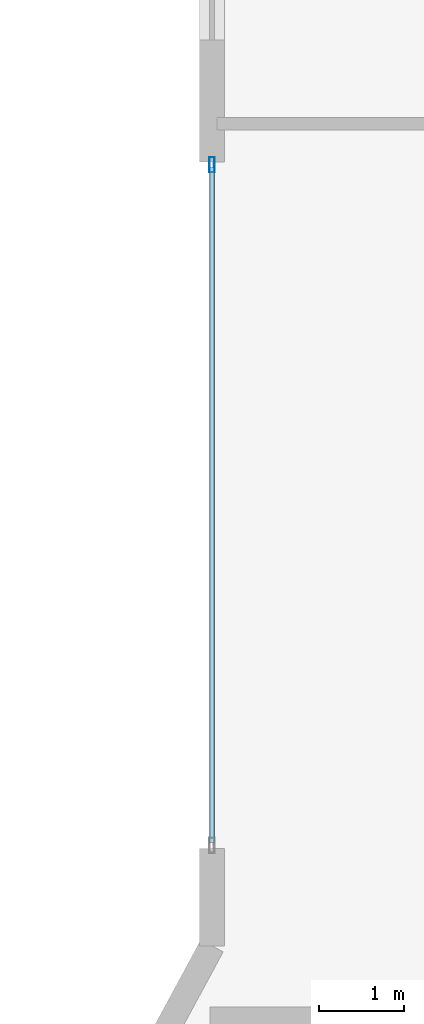
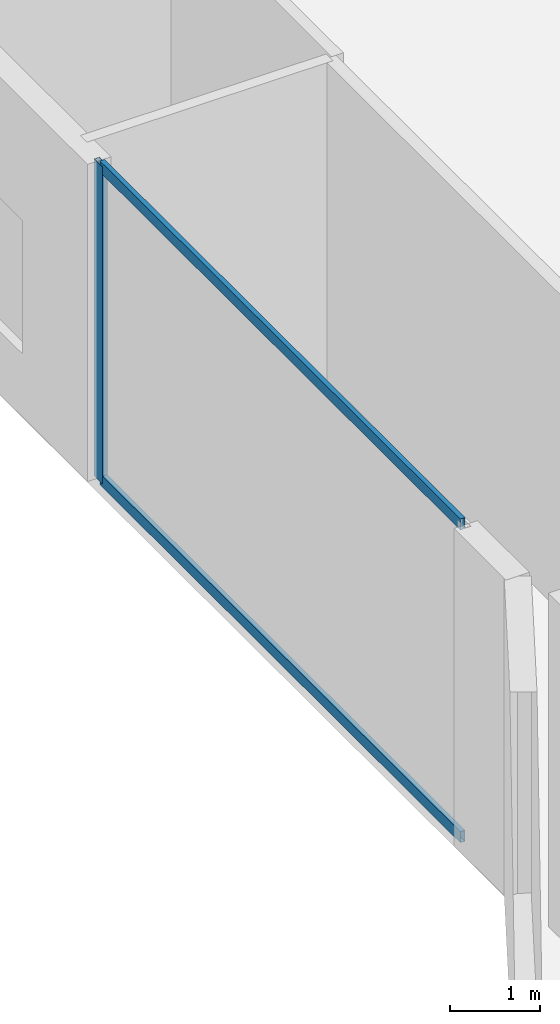
# One storey, part 17 of 33: 3 members, 1 element without a shape of its own.
"""IFC4 building model written with IfcOpenShell, lengths in metres."""

from ifc_helpers import new_model, si_unit, direction, frame, origin, origin_2d, place, context, subcontext, project, spatial, hollow_rectangle, extrude, material, layer, layer_set, material_profile, profile_set, type_object, element, aggregate, save


model = new_model("IFC4")

# Units and contexts
model_context = context("Model", 3, precision=1e-05, world=origin(), true_north=direction((0.0, 1.0)))
body_context = subcontext(model_context, "Body", "Model", "MODEL_VIEW")
ifc_project = project(units=[si_unit("LENGTHUNIT", "METRE"), si_unit("AREAUNIT", "SQUARE_METRE"), si_unit("VOLUMEUNIT", "CUBIC_METRE"), si_unit("PLANEANGLEUNIT", "RADIAN"), si_unit("MASSUNIT", "GRAM", prefix="KILO")], contexts=[model_context])

# Site, building, storey
site_placement = place(None, origin())
site = spatial("IfcSite", under=ifc_project, at=site_placement, CompositionType="ELEMENT")
building_placement = place(site_placement, origin())
building = spatial("IfcBuilding", under=site, at=building_placement, Name="Zuhayl Quay Hotel", CompositionType="ELEMENT")
storey_placement = place(building_placement, frame((0.0, 0.0, 154.050048828125)))
storey = spatial("IfcBuildingStorey", under=building, at=storey_placement, Name="L39", CompositionType="ELEMENT", Elevation=154.050048828125)

# Curtain wall, members
ifc_material_1 = material(Name="Anodised Aluminium 6063-T6", Category="aluminium")
ifc_layer = layer(ifc_material_1, 0.179931640625, Name="Anodised Aluminium 6063-T6", Category="aluminium")
ifc_layer_set = layer_set([ifc_layer], Name="Anodised Aluminium 6063-T6")
curtain_wall_type = type_object("IfcCurtainWallType", Name="CW_SYS_Z2", PredefinedType="USERDEFINED", material=ifc_layer_set)
curtain_wall_placement = place(storey_placement, origin())
curtain_wall = element("IfcCurtainWall", 1, at=curtain_wall_placement, inside=storey, type_object=curtain_wall_type, Name="L39 Curtain Wall ENV_L39_E05_CW1", ObjectType="UNITISED CURTAIN WALL", PredefinedType="USERDEFINED")
ifc_material_2 = material(Name="Black-anodised aluminium 6063-T6", Category="aluminium")
ifc_material_profile_1 = material_profile(ifc_material_2, hollow_rectangle(XDim=0.06494140625, YDim=0.179931640625, WallThickness=0.00341796875, at=origin_2d()), Name="ALU180X65")
ifc_profile_set_1 = profile_set([ifc_material_profile_1], Name="Black-anodised aluminium 6063-T6")
member_type_1 = type_object("IfcMemberType", Name="MB_CW_MUL_180", PredefinedType="MULLION", material=ifc_profile_set_1)
member_1_placement = place(storey_placement, frame((-23.89990234375, 20.717529296875, 0.0), z_axis=(0.0, 0.0, 1.0), x_axis=(-1.0, 0.0, 0.0)))
member_1 = element("IfcMember", 2, at=member_1_placement, type_object=member_type_1, Name="CW-Z2 mullion 2", PredefinedType="MULLION", context=body_context, shape_type="SweptSolid", body=[
    extrude(hollow_rectangle(XDim=0.06494140625, YDim=0.179931640625, WallThickness=0.00341796875, at=origin_2d()), origin(), (0.0, 0.0, 1.0), 4.280029296875),
])
ifc_material_profile_2 = material_profile(ifc_material_2, hollow_rectangle(XDim=0.06005859375, YDim=0.14990234375, WallThickness=0.00341796875, at=origin_2d()), Name="ALU150X60")
ifc_profile_set_2 = profile_set([ifc_material_profile_2], Name="Black-anodised aluminium 6063-T6")
member_type_2 = type_object("IfcMemberType", Name="MB_CW_TRN_150", PredefinedType="USERDEFINED", material=ifc_profile_set_2)
member_2_placement = place(storey_placement, frame((-23.89990234375, 12.715087890625, 0.030029296875), z_axis=(0.0, 1.0, 0.0), x_axis=(-1.0, 0.0, 0.0)))
member_2 = element("IfcMember", 3, at=member_2_placement, type_object=member_type_2, Name="CW-Z2 transom 1.1", ObjectType="TRANSOM", PredefinedType="USERDEFINED", context=body_context, shape_type="SweptSolid", body=[
    extrude(hollow_rectangle(XDim=0.06005859375, YDim=0.14990234375, WallThickness=0.00341796875, at=origin_2d()), origin(), (0.0, 0.0, 1.0), 7.969970703125),
])
member_3_placement = place(storey_placement, frame((-23.89990234375, 12.715087890625, 4.25), z_axis=(0.0, 1.0, 0.0), x_axis=(-1.0, 0.0, 0.0)))
member_3 = element("IfcMember", 4, at=member_3_placement, type_object=member_type_2, Name="CW-Z2 transom 1.2", ObjectType="TRANSOM", PredefinedType="USERDEFINED", context=body_context, shape_type="SweptSolid", body=[
    extrude(hollow_rectangle(XDim=0.06005859375, YDim=0.14990234375, WallThickness=0.00341796875, at=origin_2d()), origin(), (0.0, 0.0, 1.0), 7.969970703125),
])
aggregate(curtain_wall, [member_1, member_2, member_3])

save(model, "model.ifc")
